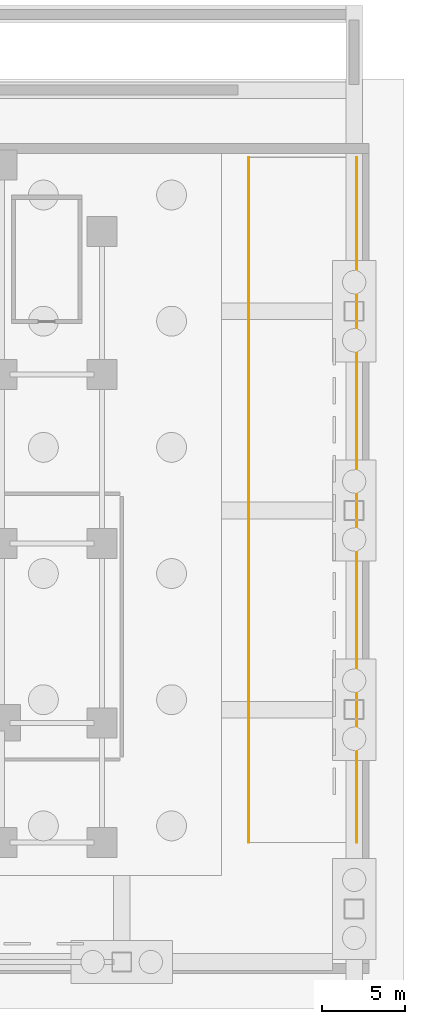
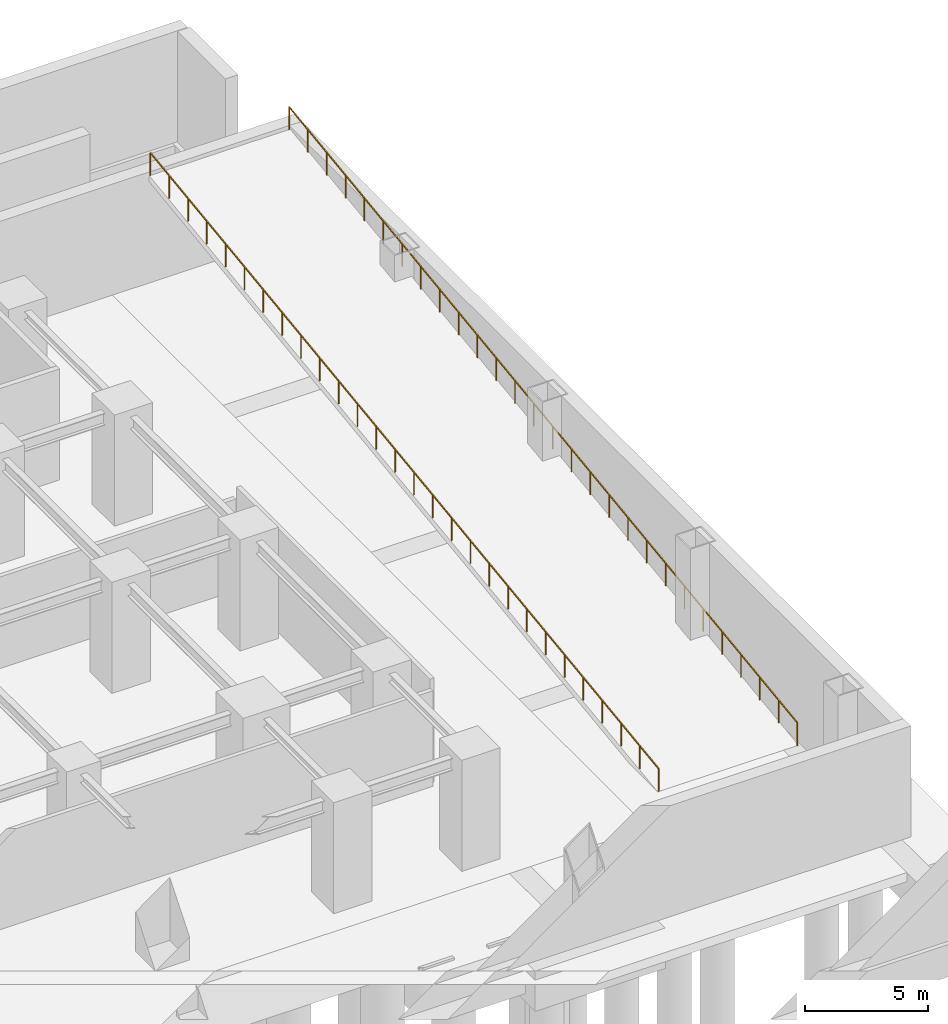
# One storey, part 8 of 9: 2 railings.
"""IFC4 building model written with IfcOpenShell, lengths in metres."""

from ifc_helpers import new_model, si_unit, direction, frame, origin, origin_2d, place, context, subcontext, project, spatial, rectangle, extrude, material, type_object, element, save


model = new_model("IFC4")

# Units and contexts
model_context = context("Model", 3, precision=1e-05, world=origin(), true_north=direction((0.0, 1.0)))
body_context = subcontext(model_context, "Body", "Model", "MODEL_VIEW")
ifc_project = project(units=[si_unit("LENGTHUNIT", "METRE"), si_unit("AREAUNIT", "SQUARE_METRE"), si_unit("VOLUMEUNIT", "CUBIC_METRE"), si_unit("PLANEANGLEUNIT", "RADIAN"), si_unit("MASSUNIT", "GRAM", prefix="KILO")], contexts=[model_context])

# Site, building, storey
site_placement = place(None, origin())
site = spatial("IfcSite", under=ifc_project, at=site_placement, CompositionType="ELEMENT")
building_placement = place(site_placement, origin())
building = spatial("IfcBuilding", under=site, at=building_placement, Name="Sumidabori Civic Tower", CompositionType="ELEMENT")
storey_placement = place(building_placement, frame((0.0, 0.0, -11.0)))
storey = spatial("IfcBuildingStorey", under=building, at=storey_placement, Name="B2", CompositionType="ELEMENT", Elevation=-11.0)

# Railings
ifc_material = material(Name="Steel SN490", Category="steel")
railing_type = type_object("IfcRailingType", Name="RL-STAIR-GUARD", PredefinedType="GUARDRAIL", material=ifc_material)
railing_1_placement = place(storey_placement, frame((31.64990234375, -18.0, 0.0)))
element("IfcRailing", 1, at=railing_1_placement, inside=storey, type_object=railing_type, Name="Ramp R1 Flight 1 West Guard", PredefinedType="GUARDRAIL", context=body_context, shape_type="SweptSolid", body=[
    extrude(rectangle(XDim=0.048095703125, YDim=0.048095703125, at=origin_2d()), frame((0.0, 0.0, 1.1259765625), z_axis=(0.0, 0.991232100619, 0.132132216749), x_axis=(-1.0, 0.0, 0.0)), (0.0, 0.0, 1.0), 41.625),
    extrude(rectangle(XDim=0.0419921875, YDim=0.0419921875, at=origin_2d()), origin(), (0.0, 0.0, 1.0), 1.101806640625),
    extrude(rectangle(XDim=0.0419921875, YDim=0.0419921875, at=origin_2d()), frame((0.0, 1.528076171875, 0.20361328125)), (0.0, 0.0, 1.0), 1.101806640625),
    extrude(rectangle(XDim=0.0419921875, YDim=0.0419921875, at=origin_2d()), frame((0.0, 3.056396484375, 0.407470703125)), (0.0, 0.0, 1.0), 1.101806640625),
    extrude(rectangle(XDim=0.0419921875, YDim=0.0419921875, at=origin_2d()), frame((0.0, 4.58447265625, 0.611083984375)), (0.0, 0.0, 1.0), 1.101806640625),
    extrude(rectangle(XDim=0.0419921875, YDim=0.0419921875, at=origin_2d()), frame((0.0, 6.112548828125, 0.814697265625)), (0.0, 0.0, 1.0), 1.101806640625),
    extrude(rectangle(XDim=0.0419921875, YDim=0.0419921875, at=origin_2d()), frame((0.0, 7.640625, 1.0185546875)), (0.0, 0.0, 1.0), 1.101806640625),
    extrude(rectangle(XDim=0.0419921875, YDim=0.0419921875, at=origin_2d()), frame((0.0, 9.1689453125, 1.22216796875)), (0.0, 0.0, 1.0), 1.101806640625),
    extrude(rectangle(XDim=0.0419921875, YDim=0.0419921875, at=origin_2d()), frame((0.0, 10.697021484375, 1.426025390625)), (0.0, 0.0, 1.0), 1.101806640625),
    extrude(rectangle(XDim=0.0419921875, YDim=0.0419921875, at=origin_2d()), frame((0.0, 12.22509765625, 1.629638671875)), (0.0, 0.0, 1.0), 1.101806640625),
    extrude(rectangle(XDim=0.0419921875, YDim=0.0419921875, at=origin_2d()), frame((0.0, 13.75341796875, 1.833251953125)), (0.0, 0.0, 1.0), 1.101806640625),
    extrude(rectangle(XDim=0.0419921875, YDim=0.0419921875, at=origin_2d()), frame((0.0, 15.281494140625, 2.037109375)), (0.0, 0.0, 1.0), 1.101806640625),
    extrude(rectangle(XDim=0.0419921875, YDim=0.0419921875, at=origin_2d()), frame((0.0, 16.8095703125, 2.24072265625)), (0.0, 0.0, 1.0), 1.101806640625),
    extrude(rectangle(XDim=0.0419921875, YDim=0.0419921875, at=origin_2d()), frame((0.0, 18.337890625, 2.4443359375)), (0.0, 0.0, 1.0), 1.101806640625),
    extrude(rectangle(XDim=0.0419921875, YDim=0.0419921875, at=origin_2d()), frame((0.0, 19.865966796875, 2.648193359375)), (0.0, 0.0, 1.0), 1.101806640625),
    extrude(rectangle(XDim=0.0419921875, YDim=0.0419921875, at=origin_2d()), frame((0.0, 21.39404296875, 2.851806640625)), (0.0, 0.0, 1.0), 1.101806640625),
    extrude(rectangle(XDim=0.0419921875, YDim=0.0419921875, at=origin_2d()), frame((0.0, 22.922119140625, 3.0556640625)), (0.0, 0.0, 1.0), 1.101806640625),
    extrude(rectangle(XDim=0.0419921875, YDim=0.0419921875, at=origin_2d()), frame((0.0, 24.450439453125, 3.25927734375)), (0.0, 0.0, 1.0), 1.101806640625),
    extrude(rectangle(XDim=0.0419921875, YDim=0.0419921875, at=origin_2d()), frame((0.0, 25.978515625, 3.462890625)), (0.0, 0.0, 1.0), 1.101806640625),
    extrude(rectangle(XDim=0.0419921875, YDim=0.0419921875, at=origin_2d()), frame((0.0, 27.506591796875, 3.666748046875)), (0.0, 0.0, 1.0), 1.101806640625),
    extrude(rectangle(XDim=0.0419921875, YDim=0.0419921875, at=origin_2d()), frame((0.0, 29.034912109375, 3.870361328125)), (0.0, 0.0, 1.0), 1.101806640625),
    extrude(rectangle(XDim=0.0419921875, YDim=0.0419921875, at=origin_2d()), frame((0.0, 30.56298828125, 4.073974609375)), (0.0, 0.0, 1.0), 1.101806640625),
    extrude(rectangle(XDim=0.0419921875, YDim=0.0419921875, at=origin_2d()), frame((0.0, 32.091064453125, 4.27783203125)), (0.0, 0.0, 1.0), 1.101806640625),
    extrude(rectangle(XDim=0.0419921875, YDim=0.0419921875, at=origin_2d()), frame((0.0, 33.619384765625, 4.4814453125)), (0.0, 0.0, 1.0), 1.101806640625),
    extrude(rectangle(XDim=0.0419921875, YDim=0.0419921875, at=origin_2d()), frame((0.0, 35.1474609375, 4.685302734375)), (0.0, 0.0, 1.0), 1.101806640625),
    extrude(rectangle(XDim=0.0419921875, YDim=0.0419921875, at=origin_2d()), frame((0.0, 36.675537109375, 4.888916015625)), (0.0, 0.0, 1.0), 1.101806640625),
    extrude(rectangle(XDim=0.0419921875, YDim=0.0419921875, at=origin_2d()), frame((0.0, 38.20361328125, 5.092529296875)), (0.0, 0.0, 1.0), 1.101806640625),
    extrude(rectangle(XDim=0.0419921875, YDim=0.0419921875, at=origin_2d()), frame((0.0, 39.73193359375, 5.29638671875)), (0.0, 0.0, 1.0), 1.101806640625),
    extrude(rectangle(XDim=0.0419921875, YDim=0.0419921875, at=origin_2d()), frame((0.0, 41.260009765625, 5.5)), (0.0, 0.0, 1.0), 1.101806640625),
])
railing_2_placement = place(storey_placement, frame((38.14990234375, -18.0, 0.0)))
element("IfcRailing", 2, at=railing_2_placement, inside=storey, type_object=railing_type, Name="Ramp R1 Flight 1 East Guard", PredefinedType="GUARDRAIL", context=body_context, shape_type="SweptSolid", body=[
    extrude(rectangle(XDim=0.048095703125, YDim=0.048095703125, at=origin_2d()), frame((0.0, 0.0, 1.1259765625), z_axis=(0.0, 0.991232100619, 0.132132216749), x_axis=(-1.0, 0.0, 0.0)), (0.0, 0.0, 1.0), 41.625),
    extrude(rectangle(XDim=0.0419921875, YDim=0.0419921875, at=origin_2d()), origin(), (0.0, 0.0, 1.0), 1.101806640625),
    extrude(rectangle(XDim=0.0419921875, YDim=0.0419921875, at=origin_2d()), frame((0.0, 1.528076171875, 0.20361328125)), (0.0, 0.0, 1.0), 1.101806640625),
    extrude(rectangle(XDim=0.0419921875, YDim=0.0419921875, at=origin_2d()), frame((0.0, 3.056396484375, 0.407470703125)), (0.0, 0.0, 1.0), 1.101806640625),
    extrude(rectangle(XDim=0.0419921875, YDim=0.0419921875, at=origin_2d()), frame((0.0, 4.58447265625, 0.611083984375)), (0.0, 0.0, 1.0), 1.101806640625),
    extrude(rectangle(XDim=0.0419921875, YDim=0.0419921875, at=origin_2d()), frame((0.0, 6.112548828125, 0.814697265625)), (0.0, 0.0, 1.0), 1.101806640625),
    extrude(rectangle(XDim=0.0419921875, YDim=0.0419921875, at=origin_2d()), frame((0.0, 7.640625, 1.0185546875)), (0.0, 0.0, 1.0), 1.101806640625),
    extrude(rectangle(XDim=0.0419921875, YDim=0.0419921875, at=origin_2d()), frame((0.0, 9.1689453125, 1.22216796875)), (0.0, 0.0, 1.0), 1.101806640625),
    extrude(rectangle(XDim=0.0419921875, YDim=0.0419921875, at=origin_2d()), frame((0.0, 10.697021484375, 1.426025390625)), (0.0, 0.0, 1.0), 1.101806640625),
    extrude(rectangle(XDim=0.0419921875, YDim=0.0419921875, at=origin_2d()), frame((0.0, 12.22509765625, 1.629638671875)), (0.0, 0.0, 1.0), 1.101806640625),
    extrude(rectangle(XDim=0.0419921875, YDim=0.0419921875, at=origin_2d()), frame((0.0, 13.75341796875, 1.833251953125)), (0.0, 0.0, 1.0), 1.101806640625),
    extrude(rectangle(XDim=0.0419921875, YDim=0.0419921875, at=origin_2d()), frame((0.0, 15.281494140625, 2.037109375)), (0.0, 0.0, 1.0), 1.101806640625),
    extrude(rectangle(XDim=0.0419921875, YDim=0.0419921875, at=origin_2d()), frame((0.0, 16.8095703125, 2.24072265625)), (0.0, 0.0, 1.0), 1.101806640625),
    extrude(rectangle(XDim=0.0419921875, YDim=0.0419921875, at=origin_2d()), frame((0.0, 18.337890625, 2.4443359375)), (0.0, 0.0, 1.0), 1.101806640625),
    extrude(rectangle(XDim=0.0419921875, YDim=0.0419921875, at=origin_2d()), frame((0.0, 19.865966796875, 2.648193359375)), (0.0, 0.0, 1.0), 1.101806640625),
    extrude(rectangle(XDim=0.0419921875, YDim=0.0419921875, at=origin_2d()), frame((0.0, 21.39404296875, 2.851806640625)), (0.0, 0.0, 1.0), 1.101806640625),
    extrude(rectangle(XDim=0.0419921875, YDim=0.0419921875, at=origin_2d()), frame((0.0, 22.922119140625, 3.0556640625)), (0.0, 0.0, 1.0), 1.101806640625),
    extrude(rectangle(XDim=0.0419921875, YDim=0.0419921875, at=origin_2d()), frame((0.0, 24.450439453125, 3.25927734375)), (0.0, 0.0, 1.0), 1.101806640625),
    extrude(rectangle(XDim=0.0419921875, YDim=0.0419921875, at=origin_2d()), frame((0.0, 25.978515625, 3.462890625)), (0.0, 0.0, 1.0), 1.101806640625),
    extrude(rectangle(XDim=0.0419921875, YDim=0.0419921875, at=origin_2d()), frame((0.0, 27.506591796875, 3.666748046875)), (0.0, 0.0, 1.0), 1.101806640625),
    extrude(rectangle(XDim=0.0419921875, YDim=0.0419921875, at=origin_2d()), frame((0.0, 29.034912109375, 3.870361328125)), (0.0, 0.0, 1.0), 1.101806640625),
    extrude(rectangle(XDim=0.0419921875, YDim=0.0419921875, at=origin_2d()), frame((0.0, 30.56298828125, 4.073974609375)), (0.0, 0.0, 1.0), 1.101806640625),
    extrude(rectangle(XDim=0.0419921875, YDim=0.0419921875, at=origin_2d()), frame((0.0, 32.091064453125, 4.27783203125)), (0.0, 0.0, 1.0), 1.101806640625),
    extrude(rectangle(XDim=0.0419921875, YDim=0.0419921875, at=origin_2d()), frame((0.0, 33.619384765625, 4.4814453125)), (0.0, 0.0, 1.0), 1.101806640625),
    extrude(rectangle(XDim=0.0419921875, YDim=0.0419921875, at=origin_2d()), frame((0.0, 35.1474609375, 4.685302734375)), (0.0, 0.0, 1.0), 1.101806640625),
    extrude(rectangle(XDim=0.0419921875, YDim=0.0419921875, at=origin_2d()), frame((0.0, 36.675537109375, 4.888916015625)), (0.0, 0.0, 1.0), 1.101806640625),
    extrude(rectangle(XDim=0.0419921875, YDim=0.0419921875, at=origin_2d()), frame((0.0, 38.20361328125, 5.092529296875)), (0.0, 0.0, 1.0), 1.101806640625),
    extrude(rectangle(XDim=0.0419921875, YDim=0.0419921875, at=origin_2d()), frame((0.0, 39.73193359375, 5.29638671875)), (0.0, 0.0, 1.0), 1.101806640625),
    extrude(rectangle(XDim=0.0419921875, YDim=0.0419921875, at=origin_2d()), frame((0.0, 41.260009765625, 5.5)), (0.0, 0.0, 1.0), 1.101806640625),
])

save(model, "model.ifc")
